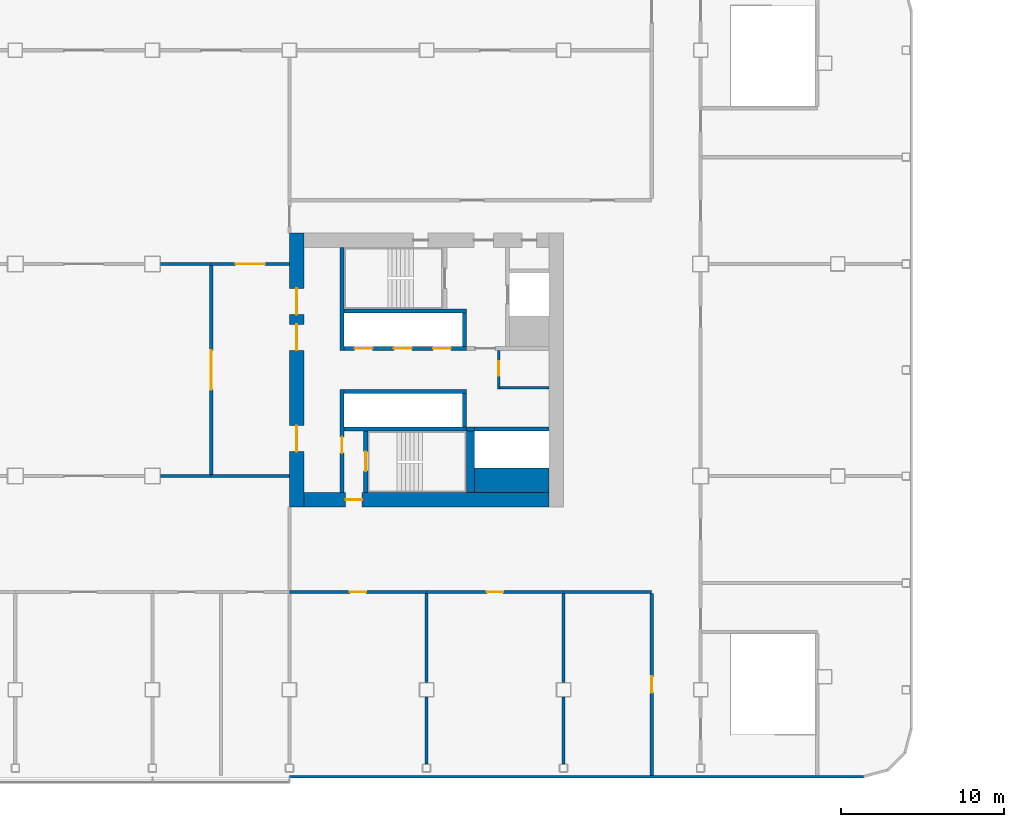
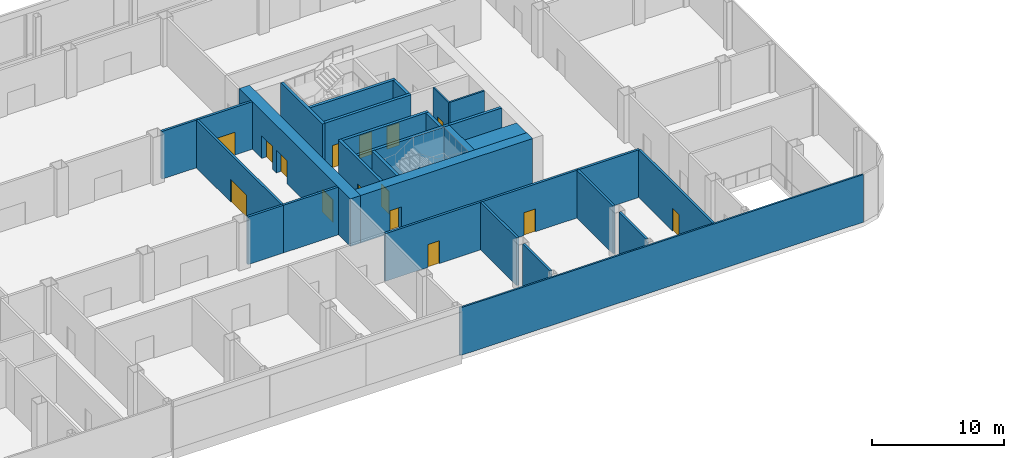
# One storey, part 22 of 53: 31 walls, 15 doors, 15 openings.
"""IFC4 building model written with IfcOpenShell, lengths in metres."""

from ifc_helpers import new_model, si_unit, direction, frame, frame_2d, origin, place, context, subcontext, project, spatial, rectangle, extrude, material, layer, layer_set, type_object, element, fill, save


model = new_model("IFC4")

# Units and contexts
model_context = context("Model", 3, precision=1e-05, world=origin(), true_north=direction((0.0, 1.0)))
body_context = subcontext(model_context, "Body", "Model", "MODEL_VIEW")
ifc_project = project(units=[si_unit("LENGTHUNIT", "METRE"), si_unit("AREAUNIT", "SQUARE_METRE"), si_unit("VOLUMEUNIT", "CUBIC_METRE"), si_unit("PLANEANGLEUNIT", "RADIAN"), si_unit("MASSUNIT", "GRAM", prefix="KILO")], contexts=[model_context])

# Site, building, storey
site_placement = place(None, origin())
site = spatial("IfcSite", under=ifc_project, at=site_placement, CompositionType="ELEMENT")
building_placement = place(site_placement, origin())
building = spatial("IfcBuilding", under=site, at=building_placement, Name="Hakoniwa Tower and Hamabe Station Hall", CompositionType="ELEMENT")
storey_placement = place(building_placement, frame((0.0, 0.0, 15.0)))
storey = spatial("IfcBuildingStorey", under=building, at=storey_placement, Name="L03", CompositionType="ELEMENT", Elevation=15.0)

# Wall, opening, door
ifc_material_1 = material(Name="Gypsum board partition")
ifc_layer_1 = layer(ifc_material_1, 0.14990234375)
ifc_layer_set_1 = layer_set([ifc_layer_1], Name="CORE PARTITION 150 EI 60")
wall_type_1 = type_object("IfcWallType", Name="CORE PARTITION 150 EI 60", PredefinedType="PARTITIONING", material=ifc_layer_set_1)
wall_1_placement = place(storey_placement, frame((29.625, -1.14990234375, 0.0), z_axis=(0.0, 0.0, 1.0), x_axis=(0.0, 1.0, 0.0)))
wall_1 = element("IfcWall", 1, at=wall_1_placement, inside=storey, type_object=wall_type_1, Name="Core partition PW0 east", PredefinedType="PARTITIONING", context=body_context, shape_type="SweptSolid", body=[
    extrude(rectangle(XDim=2.349853515625, YDim=0.14990234375, at=frame_2d((1.1748046875, 0.0))), origin(), (0.0, 0.0, 1.0), 4.39990234375),
])
opening_1_placement = place(wall_1_placement, frame((0.800048828125, 0.0, 0.0)))
opening_1 = element("IfcOpeningElement", 2, at=opening_1_placement, cuts=wall_1, Name="Opening CD-E-RM1-9", PredefinedType="OPENING", context=body_context, shape_type="SweptSolid", body=[
    extrude(rectangle(XDim=0.89990234375, YDim=2.10009765625, at=frame_2d((0.449951171875, 1.050048828125))), frame((0.0, 0.0849609375, 0.0), z_axis=(0.0, -1.0, 0.0), x_axis=(1.0, 0.0, 0.0)), (0.0, 0.0, 1.0), 0.169921875),
])
ifc_material_2 = material(Name="Steel fire door", Category="steel")
door_type_1 = type_object("IfcDoorType", Name="CORE DOOR 900 FD30", OperationType="NOTDEFINED", PredefinedType="DOOR", material=ifc_material_2)
door_1_placement = place(opening_1_placement, origin())
door_1 = element("IfcDoor", 3, at=door_1_placement, inside=storey, type_object=door_type_1, Name="Store room door", OperationType="SINGLE_SWING_RIGHT", OverallHeight=2.10009765625, OverallWidth=0.89990234375, PredefinedType="DOOR", context=body_context, shape_type="SweptSolid", body=[
    extrude(rectangle(XDim=0.89990234375, YDim=2.10009765625, at=frame_2d((0.449951171875, 1.050048828125))), frame((0.0, 0.02490234375, 0.0), z_axis=(0.0, -1.0, 0.0), x_axis=(1.0, 0.0, 0.0)), (0.0, 0.0, 1.0), 0.050048828125),
])
fill(opening_1, door_1)

# Wall
wall_2_placement = place(storey_placement, frame((29.699951171875, -1.074951171875, 0.0), z_axis=(0.0, 0.0, 1.0), x_axis=(1.0, 0.0, 0.0)))
element("IfcWall", 4, at=wall_2_placement, inside=storey, type_object=wall_type_1, Name="Core partition PS east", PredefinedType="PARTITIONING", context=body_context, shape_type="SweptSolid", body=[
    extrude(rectangle(XDim=3.0, YDim=0.14990234375, at=frame_2d((1.5, 0.0))), origin(), (0.0, 0.0, 1.0), 4.39990234375),
])

# Wall, openings, doors
ifc_material_3 = material(Name="Concrete C80", Category="concrete")
ifc_layer_2 = layer(ifc_material_3, 0.89990234375)
ifc_layer_set_2 = layer_set([ifc_layer_2], Name="CORE WALL 900 C80")
wall_type_2 = type_object("IfcWallType", Name="CORE WALL 900 C80", PredefinedType="SHEAR", material=ifc_layer_set_2)
wall_3_placement = place(storey_placement, frame((17.25, -8.39990234375, 0.0), z_axis=(0.0, 0.0, 1.0), x_axis=(0.0, 1.0, 0.0)))
wall_3 = element("IfcWall", 5, at=wall_3_placement, inside=storey, type_object=wall_type_2, Name="Core wall INNER east", PredefinedType="SHEAR", context=body_context, shape_type="SweptSolid", body=[
    extrude(rectangle(XDim=16.7998046875, YDim=0.89990234375, at=frame_2d((8.39990234375, 0.0))), origin(), (0.0, 0.0, 1.0), 4.39990234375),
])
opening_2_placement = place(wall_3_placement, frame((3.39990234375, 0.0, 0.0)))
opening_2 = element("IfcOpeningElement", 6, at=opening_2_placement, cuts=wall_3, Name="Opening CD-E-IN1-16", PredefinedType="OPENING", context=body_context, shape_type="SweptSolid", body=[
    extrude(rectangle(XDim=1.60009765625, YDim=2.10009765625, at=frame_2d((0.800048828125, 1.050048828125))), frame((0.0, 0.4599609375, 0.0), z_axis=(0.0, -1.0, 0.0), x_axis=(1.0, 0.0, 0.0)), (0.0, 0.0, 1.0), 0.919921875),
])
opening_3_placement = place(wall_3_placement, frame((9.60009765625, 0.0, 0.0)))
opening_3 = element("IfcOpeningElement", 7, at=opening_3_placement, cuts=wall_3, Name="Opening CD-E-IN2-16", PredefinedType="OPENING", context=body_context, shape_type="SweptSolid", body=[
    extrude(rectangle(XDim=1.60009765625, YDim=2.10009765625, at=frame_2d((0.800048828125, 1.050048828125))), frame((0.0, 0.4599609375, 0.0), z_axis=(0.0, -1.0, 0.0), x_axis=(1.0, 0.0, 0.0)), (0.0, 0.0, 1.0), 0.919921875),
])
opening_4_placement = place(wall_3_placement, frame((11.800048828125, 0.0, 0.0)))
opening_4 = element("IfcOpeningElement", 8, at=opening_4_placement, cuts=wall_3, Name="Opening CD-E-IN3-16", PredefinedType="OPENING", context=body_context, shape_type="SweptSolid", body=[
    extrude(rectangle(XDim=1.60009765625, YDim=2.10009765625, at=frame_2d((0.800048828125, 1.050048828125))), frame((0.0, 0.4599609375, 0.0), z_axis=(0.0, -1.0, 0.0), x_axis=(1.0, 0.0, 0.0)), (0.0, 0.0, 1.0), 0.919921875),
])
ifc_material_4 = material(Name="Steel fire door", Category="steel")
door_type_2 = type_object("IfcDoorType", Name="CORE DOOR 1600 FD60", OperationType="DOUBLE_DOOR_SINGLE_SWING", PredefinedType="DOOR", material=ifc_material_4)
door_2_placement = place(opening_2_placement, origin())
door_2 = element("IfcDoor", 9, at=door_2_placement, inside=storey, type_object=door_type_2, Name="Lift lobby door", OperationType="DOUBLE_DOOR_SINGLE_SWING", OverallHeight=2.10009765625, OverallWidth=1.60009765625, PredefinedType="DOOR", context=body_context, shape_type="SweptSolid", body=[
    extrude(rectangle(XDim=1.60009765625, YDim=2.10009765625, at=frame_2d((0.800048828125, 1.050048828125))), frame((0.0, 0.02490234375, 0.0), z_axis=(0.0, -1.0, 0.0), x_axis=(1.0, 0.0, 0.0)), (0.0, 0.0, 1.0), 0.050048828125),
])
fill(opening_2, door_2)
door_3_placement = place(opening_3_placement, origin())
door_3 = element("IfcDoor", 10, at=door_3_placement, inside=storey, type_object=door_type_2, Name="Lift lobby door", OperationType="DOUBLE_DOOR_SINGLE_SWING", OverallHeight=2.10009765625, OverallWidth=1.60009765625, PredefinedType="DOOR", context=body_context, shape_type="SweptSolid", body=[
    extrude(rectangle(XDim=1.60009765625, YDim=2.10009765625, at=frame_2d((0.800048828125, 1.050048828125))), frame((0.0, 0.02490234375, 0.0), z_axis=(0.0, -1.0, 0.0), x_axis=(1.0, 0.0, 0.0)), (0.0, 0.0, 1.0), 0.050048828125),
])
fill(opening_3, door_3)
door_4_placement = place(opening_4_placement, origin())
door_4 = element("IfcDoor", 11, at=door_4_placement, inside=storey, type_object=door_type_2, Name="Lift lobby door", OperationType="DOUBLE_DOOR_SINGLE_SWING", OverallHeight=2.10009765625, OverallWidth=1.60009765625, PredefinedType="DOOR", context=body_context, shape_type="SweptSolid", body=[
    extrude(rectangle(XDim=1.60009765625, YDim=2.10009765625, at=frame_2d((0.800048828125, 1.050048828125))), frame((0.0, 0.02490234375, 0.0), z_axis=(0.0, -1.0, 0.0), x_axis=(1.0, 0.0, 0.0)), (0.0, 0.0, 1.0), 0.050048828125),
])
fill(opening_4, door_4)

# Wall, opening, door
wall_4_placement = place(storey_placement, frame((17.699951171875, -7.949951171875, 0.0), z_axis=(0.0, 0.0, 1.0), x_axis=(1.0, 0.0, 0.0)))
wall_4 = element("IfcWall", 12, at=wall_4_placement, inside=storey, type_object=wall_type_2, Name="Core wall SOUTH east", PredefinedType="SHEAR", context=body_context, shape_type="SweptSolid", body=[
    extrude(rectangle(XDim=15.0, YDim=0.89990234375, at=frame_2d((7.5, 0.0))), origin(), (0.0, 0.0, 1.0), 4.39990234375),
])
opening_5_placement = place(wall_4_placement, frame((2.550048828125, 0.0, 0.0)))
opening_5 = element("IfcOpeningElement", 13, at=opening_5_placement, cuts=wall_4, Name="Opening CD-E-FS3-10", PredefinedType="OPENING", context=body_context, shape_type="SweptSolid", body=[
    extrude(rectangle(XDim=1.0, YDim=2.10009765625, at=frame_2d((0.5, 1.050048828125))), frame((0.0, 0.4599609375, 0.0), z_axis=(0.0, -1.0, 0.0), x_axis=(1.0, 0.0, 0.0)), (0.0, 0.0, 1.0), 0.919921875),
])
ifc_material_5 = material(Name="Steel fire door", Category="steel")
door_type_3 = type_object("IfcDoorType", Name="CORE DOOR 1000 FD60", OperationType="NOTDEFINED", PredefinedType="DOOR", material=ifc_material_5)
door_5_placement = place(opening_5_placement, origin())
door_5 = element("IfcDoor", 14, at=door_5_placement, inside=storey, type_object=door_type_3, Name="Stair vestibule door", OperationType="SINGLE_SWING_RIGHT", OverallHeight=2.10009765625, OverallWidth=1.0, PredefinedType="DOOR", context=body_context, shape_type="SweptSolid", body=[
    extrude(rectangle(XDim=1.0, YDim=2.10009765625, at=frame_2d((0.5, 1.050048828125))), frame((0.0, 0.02490234375, 0.0), z_axis=(0.0, -1.0, 0.0), x_axis=(1.0, 0.0, 0.0)), (0.0, 0.0, 1.0), 0.050048828125),
])
fill(opening_5, door_5)

# Walls
ifc_material_6 = material(Name="Concrete C80", Category="concrete")
ifc_layer_3 = layer(ifc_material_6, 1.5)
ifc_layer_set_3 = layer_set([ifc_layer_3], Name="CORE WEB WALL 1500 C80")
wall_type_3 = type_object("IfcWallType", Name="CORE WEB WALL 1500 C80", PredefinedType="SHEAR", material=ifc_layer_set_3)
wall_5_placement = place(storey_placement, frame((28.14990234375, -6.75, 0.0), z_axis=(0.0, 0.0, 1.0), x_axis=(1.0, 0.0, 0.0)))
element("IfcWall", 15, at=wall_5_placement, inside=storey, type_object=wall_type_3, Name="Core wall SER east", PredefinedType="SHEAR", context=body_context, shape_type="SweptSolid", body=[
    extrude(rectangle(XDim=4.550048828125, YDim=1.5, at=frame_2d((2.27490234375, 0.0))), origin(), (0.0, 0.0, 1.0), 4.39990234375),
])
ifc_material_7 = material(Name="Concrete C80", Category="concrete")
ifc_layer_4 = layer(ifc_material_7, 0.25)
ifc_layer_set_4 = layer_set([ifc_layer_4], Name="CORE WEB WALL 250 C80")
wall_type_4 = type_object("IfcWallType", Name="CORE WEB WALL 250 C80", PredefinedType="SHEAR", material=ifc_layer_set_4)
wall_6_placement = place(storey_placement, frame((20.02490234375, 1.199951171875, 0.0), z_axis=(0.0, 0.0, 1.0), x_axis=(0.0, 1.0, 0.0)))
element("IfcWall", 16, at=wall_6_placement, inside=storey, type_object=wall_type_4, Name="Core wall W1N east", PredefinedType="SHEAR", context=body_context, shape_type="SweptSolid", body=[
    extrude(rectangle(XDim=6.300048828125, YDim=0.25, at=frame_2d((3.14990234375, 0.0))), origin(), (0.0, 0.0, 1.0), 4.39990234375),
])

# Wall, opening, door
wall_7_placement = place(storey_placement, frame((20.02490234375, -7.5, 0.0), z_axis=(0.0, 0.0, 1.0), x_axis=(0.0, 1.0, 0.0)))
wall_7 = element("IfcWall", 17, at=wall_7_placement, inside=storey, type_object=wall_type_4, Name="Core wall W1S east", PredefinedType="SHEAR", context=body_context, shape_type="SweptSolid", body=[
    extrude(rectangle(XDim=6.300048828125, YDim=0.25, at=frame_2d((3.14990234375, 0.0))), origin(), (0.0, 0.0, 1.0), 4.39990234375),
])
opening_6_placement = place(wall_7_placement, frame((2.39990234375, 0.0, 0.0)))
opening_6 = element("IfcOpeningElement", 18, at=opening_6_placement, cuts=wall_7, Name="Opening CD-E-VS-10", PredefinedType="OPENING", context=body_context, shape_type="SweptSolid", body=[
    extrude(rectangle(XDim=1.0, YDim=2.10009765625, at=frame_2d((0.5, 1.050048828125))), frame((0.0, 0.135009765625, 0.0), z_axis=(0.0, -1.0, 0.0), x_axis=(1.0, 0.0, 0.0)), (0.0, 0.0, 1.0), 0.27001953125),
])
door_6_placement = place(opening_6_placement, origin())
door_6 = element("IfcDoor", 19, at=door_6_placement, inside=storey, type_object=door_type_3, Name="Stair vestibule door", OperationType="SINGLE_SWING_RIGHT", OverallHeight=2.10009765625, OverallWidth=1.0, PredefinedType="DOOR", context=body_context, shape_type="SweptSolid", body=[
    extrude(rectangle(XDim=1.0, YDim=2.10009765625, at=frame_2d((0.5, 1.050048828125))), frame((0.0, 0.02490234375, 0.0), z_axis=(0.0, -1.0, 0.0), x_axis=(1.0, 0.0, 0.0)), (0.0, 0.0, 1.0), 0.050048828125),
])
fill(opening_6, door_6)

# Wall, openings, doors
wall_8_placement = place(storey_placement, frame((20.14990234375, 1.324951171875, 0.0), z_axis=(0.0, 0.0, 1.0), x_axis=(1.0, 0.0, 0.0)))
wall_8 = element("IfcWall", 20, at=wall_8_placement, inside=storey, type_object=wall_type_4, Name="Core wall NF east", PredefinedType="SHEAR", context=body_context, shape_type="SweptSolid", body=[
    extrude(rectangle(XDim=7.5, YDim=0.25, at=frame_2d((3.75, 0.0))), origin(), (0.0, 0.0, 1.0), 4.39990234375),
])
opening_7_placement = place(wall_8_placement, frame((0.64990234375, 0.0, 0.0)))
opening_7 = element("IfcOpeningElement", 21, at=opening_7_placement, cuts=wall_8, Name="Opening LD-LR4", PredefinedType="OPENING", context=body_context, shape_type="SweptSolid", body=[
    extrude(rectangle(XDim=1.10009765625, YDim=2.10009765625, at=frame_2d((0.550048828125, 1.050048828125))), frame((0.0, 0.135009765625, 0.0), z_axis=(0.0, -1.0, 0.0), x_axis=(1.0, 0.0, 0.0)), (0.0, 0.0, 1.0), 0.27001953125),
])
opening_8_placement = place(wall_8_placement, frame((3.050048828125, 0.0, 0.0)))
opening_8 = element("IfcOpeningElement", 22, at=opening_8_placement, cuts=wall_8, Name="Opening LD-LR5", PredefinedType="OPENING", context=body_context, shape_type="SweptSolid", body=[
    extrude(rectangle(XDim=1.10009765625, YDim=2.10009765625, at=frame_2d((0.550048828125, 1.050048828125))), frame((0.0, 0.135009765625, 0.0), z_axis=(0.0, -1.0, 0.0), x_axis=(1.0, 0.0, 0.0)), (0.0, 0.0, 1.0), 0.27001953125),
])
opening_9_placement = place(wall_8_placement, frame((5.449951171875, 0.0, 0.0)))
opening_9 = element("IfcOpeningElement", 23, at=opening_9_placement, cuts=wall_8, Name="Opening LD-LR6", PredefinedType="OPENING", context=body_context, shape_type="SweptSolid", body=[
    extrude(rectangle(XDim=1.10009765625, YDim=2.10009765625, at=frame_2d((0.550048828125, 1.050048828125))), frame((0.0, 0.135009765625, 0.0), z_axis=(0.0, -1.0, 0.0), x_axis=(1.0, 0.0, 0.0)), (0.0, 0.0, 1.0), 0.27001953125),
])
ifc_material_8 = material(Name="Stainless steel SUS304", Category="steel")
door_type_4 = type_object("IfcDoorType", Name="LIFT LANDING DOOR 1100 FD60", OperationType="DOUBLE_DOOR_SLIDING", PredefinedType="DOOR", material=ifc_material_8)
door_7_placement = place(opening_7_placement, origin())
door_7 = element("IfcDoor", 24, at=door_7_placement, inside=storey, type_object=door_type_4, Name="Lift landing door LR4 L03", OperationType="DOUBLE_DOOR_SLIDING", OverallHeight=2.10009765625, OverallWidth=1.10009765625, PredefinedType="DOOR", context=body_context, shape_type="SweptSolid", body=[
    extrude(rectangle(XDim=1.10009765625, YDim=2.10009765625, at=frame_2d((0.550048828125, 1.050048828125))), frame((0.0, 0.02490234375, 0.0), z_axis=(0.0, -1.0, 0.0), x_axis=(1.0, 0.0, 0.0)), (0.0, 0.0, 1.0), 0.050048828125),
])
fill(opening_7, door_7)
door_8_placement = place(opening_8_placement, origin())
door_8 = element("IfcDoor", 25, at=door_8_placement, inside=storey, type_object=door_type_4, Name="Lift landing door LR5 L03", OperationType="DOUBLE_DOOR_SLIDING", OverallHeight=2.10009765625, OverallWidth=1.10009765625, PredefinedType="DOOR", context=body_context, shape_type="SweptSolid", body=[
    extrude(rectangle(XDim=1.10009765625, YDim=2.10009765625, at=frame_2d((0.550048828125, 1.050048828125))), frame((0.0, 0.02490234375, 0.0), z_axis=(0.0, -1.0, 0.0), x_axis=(1.0, 0.0, 0.0)), (0.0, 0.0, 1.0), 0.050048828125),
])
fill(opening_8, door_8)
door_9_placement = place(opening_9_placement, origin())
door_9 = element("IfcDoor", 26, at=door_9_placement, inside=storey, type_object=door_type_4, Name="Lift landing door LR6 L03", OperationType="DOUBLE_DOOR_SLIDING", OverallHeight=2.10009765625, OverallWidth=1.10009765625, PredefinedType="DOOR", context=body_context, shape_type="SweptSolid", body=[
    extrude(rectangle(XDim=1.10009765625, YDim=2.10009765625, at=frame_2d((0.550048828125, 1.050048828125))), frame((0.0, 0.02490234375, 0.0), z_axis=(0.0, -1.0, 0.0), x_axis=(1.0, 0.0, 0.0)), (0.0, 0.0, 1.0), 0.050048828125),
])
fill(opening_9, door_9)

# Walls
wall_9_placement = place(storey_placement, frame((27.52490234375, 1.449951171875, 0.0), z_axis=(0.0, 0.0, 1.0), x_axis=(0.0, 1.0, 0.0)))
element("IfcWall", 27, at=wall_9_placement, inside=storey, type_object=wall_type_4, Name="Core wall NE east", PredefinedType="SHEAR", context=body_context, shape_type="SweptSolid", body=[
    extrude(rectangle(XDim=2.050048828125, YDim=0.25, at=frame_2d((1.02490234375, 0.0))), origin(), (0.0, 0.0, 1.0), 4.39990234375),
])
for number, where, z_axis, x_axis, name in (
    (28, (20.14990234375, 3.625, 0.0), (0.0, 0.0, 1.0), (1.0, 0.0, 0.0), "Core wall NR east"),
    (29, (20.14990234375, -1.324951171875, 0.0), (0.0, 0.0, 1.0), (1.0, 0.0, 0.0), "Core wall SF east"),
):
    element("IfcWall", number, at=place(storey_placement, frame(where, z_axis=z_axis, x_axis=x_axis)), inside=storey, type_object=wall_type_4, Name=name, PredefinedType="SHEAR", context=body_context, shape_type="SweptSolid", body=[
        extrude(rectangle(XDim=7.5, YDim=0.25, at=frame_2d((3.75, 0.0))), origin(), (0.0, 0.0, 1.0), 4.39990234375),
    ])
wall_10_placement = place(storey_placement, frame((27.52490234375, -3.5, 0.0), z_axis=(0.0, 0.0, 1.0), x_axis=(0.0, 1.0, 0.0)))
element("IfcWall", 30, at=wall_10_placement, inside=storey, type_object=wall_type_4, Name="Core wall SE east", PredefinedType="SHEAR", context=body_context, shape_type="SweptSolid", body=[
    extrude(rectangle(XDim=2.050048828125, YDim=0.25, at=frame_2d((1.02490234375, 0.0))), origin(), (0.0, 0.0, 1.0), 4.39990234375),
])
wall_11_placement = place(storey_placement, frame((20.14990234375, -3.625, 0.0), z_axis=(0.0, 0.0, 1.0), x_axis=(1.0, 0.0, 0.0)))
element("IfcWall", 31, at=wall_11_placement, inside=storey, type_object=wall_type_4, Name="Core wall SR east", PredefinedType="SHEAR", context=body_context, shape_type="SweptSolid", body=[
    extrude(rectangle(XDim=7.5, YDim=0.25, at=frame_2d((3.75, 0.0))), origin(), (0.0, 0.0, 1.0), 4.39990234375),
])

# Wall, opening, door
wall_12_placement = place(storey_placement, frame((21.47509765625, -7.5, 0.0), z_axis=(0.0, 0.0, 1.0), x_axis=(0.0, 1.0, 0.0)))
wall_12 = element("IfcWall", 32, at=wall_12_placement, inside=storey, type_object=wall_type_4, Name="Core wall VE east", PredefinedType="SHEAR", context=body_context, shape_type="SweptSolid", body=[
    extrude(rectangle(XDim=3.75, YDim=0.25, at=frame_2d((1.875, 0.0))), origin(), (0.0, 0.0, 1.0), 4.39990234375),
])
opening_10_placement = place(wall_12_placement, frame((1.300048828125, 0.0, 0.0)))
opening_10 = element("IfcOpeningElement", 33, at=opening_10_placement, cuts=wall_12, Name="Opening CD-E-SS-12", PredefinedType="OPENING", context=body_context, shape_type="SweptSolid", body=[
    extrude(rectangle(XDim=1.199951171875, YDim=2.10009765625, at=frame_2d((0.60009765625, 1.050048828125))), frame((0.0, 0.135009765625, 0.0), z_axis=(0.0, -1.0, 0.0), x_axis=(1.0, 0.0, 0.0)), (0.0, 0.0, 1.0), 0.27001953125),
])
ifc_material_9 = material(Name="Steel fire door", Category="steel")
door_type_5 = type_object("IfcDoorType", Name="CORE DOOR 1200 FD60", OperationType="DOUBLE_DOOR_SINGLE_SWING", PredefinedType="DOOR", material=ifc_material_9)
door_10_placement = place(opening_10_placement, origin())
door_10 = element("IfcDoor", 34, at=door_10_placement, inside=storey, type_object=door_type_5, Name="Escape stair door", OperationType="DOUBLE_DOOR_SINGLE_SWING", OverallHeight=2.10009765625, OverallWidth=1.199951171875, PredefinedType="DOOR", context=body_context, shape_type="SweptSolid", body=[
    extrude(rectangle(XDim=1.199951171875, YDim=2.10009765625, at=frame_2d((0.60009765625, 1.050048828125))), frame((0.0, 0.02490234375, 0.0), z_axis=(0.0, -1.0, 0.0), x_axis=(1.0, 0.0, 0.0)), (0.0, 0.0, 1.0), 0.050048828125),
])
fill(opening_10, door_10)

# Walls
wall_13_placement = place(storey_placement, frame((28.14990234375, -3.625, 0.0), z_axis=(0.0, 0.0, 1.0), x_axis=(1.0, 0.0, 0.0)))
element("IfcWall", 35, at=wall_13_placement, inside=storey, type_object=wall_type_4, Name="Core wall SEF east", PredefinedType="SHEAR", context=body_context, shape_type="SweptSolid", body=[
    extrude(rectangle(XDim=4.550048828125, YDim=0.25, at=frame_2d((2.27490234375, 0.0))), origin(), (0.0, 0.0, 1.0), 4.39990234375),
])
wall_14_placement = place(storey_placement, frame((27.64990234375, -3.625, 0.0), z_axis=(0.0, 0.0, 1.0), x_axis=(1.0, 0.0, 0.0)))
element("IfcWall", 36, at=wall_14_placement, inside=storey, type_object=wall_type_4, Name="Core wall SRK east", PredefinedType="SHEAR", context=body_context, shape_type="SweptSolid", body=[
    extrude(rectangle(XDim=0.5, YDim=0.25, at=frame_2d((0.25, 0.0))), origin(), (0.0, 0.0, 1.0), 4.39990234375),
])
ifc_material_10 = material(Name="Concrete C80", Category="concrete")
ifc_layer_5 = layer(ifc_material_10, 0.5)
ifc_layer_set_5 = layer_set([ifc_layer_5], Name="CORE WEB WALL 500 C80")
wall_type_5 = type_object("IfcWallType", Name="CORE WEB WALL 500 C80", PredefinedType="SHEAR", material=ifc_layer_set_5)
wall_15_placement = place(storey_placement, frame((27.89990234375, -7.5, 0.0), z_axis=(0.0, 0.0, 1.0), x_axis=(0.0, 1.0, 0.0)))
element("IfcWall", 37, at=wall_15_placement, inside=storey, type_object=wall_type_5, Name="Core wall SSE east", PredefinedType="SHEAR", context=body_context, shape_type="SweptSolid", body=[
    extrude(rectangle(XDim=3.75, YDim=0.5, at=frame_2d((1.875, 0.0))), origin(), (0.0, 0.0, 1.0), 4.39990234375),
])
ifc_material_11 = material(Name="Dark glass-faced aluminium panel", Category="aluminium")
ifc_layer_6 = layer(ifc_material_11, 0.14990234375)
ifc_layer_set_6 = layer_set([ifc_layer_6], Name="EXTERNAL WALL 150 EI 60")
wall_type_6 = type_object("IfcWallType", Name="EXTERNAL WALL 150 EI 60", PredefinedType="STANDARD", material=ifc_layer_set_6)
wall_16_placement = place(storey_placement, frame((51.980224609375, -24.925048828125, 0.0), z_axis=(0.0, 0.0, 1.0), x_axis=(-1.0, 0.0, 0.0)))
element("IfcWall", 38, at=wall_16_placement, inside=storey, type_object=wall_type_6, Name="External wall L03 4-1", PredefinedType="STANDARD", context=body_context, shape_type="SweptSolid", body=[
    extrude(rectangle(XDim=35.18017578125, YDim=0.14990234375, at=frame_2d((17.590087890625, 0.0))), origin(), (0.0, 0.0, 1.0), 4.39990234375),
])

# Wall, opening, door
ifc_material_12 = material(Name="Fire-rated gypsum board partition")
ifc_layer_7 = layer(ifc_material_12, 0.199951171875)
ifc_layer_set_7 = layer_set([ifc_layer_7], Name="FIRE PARTITION 200 EI 60")
wall_type_7 = type_object("IfcWallType", Name="FIRE PARTITION 200 EI 60", PredefinedType="PARTITIONING", material=ifc_layer_set_7)
wall_17_placement = place(storey_placement, frame((16.800048828125, 6.5, 0.0), z_axis=(0.0, 0.0, 1.0), x_axis=(-1.0, 0.0, 0.0)))
wall_17 = element("IfcWall", 39, at=wall_17_placement, inside=storey, type_object=wall_type_7, Name="Wall Grand Ballroom / Guest Lift Hall East", PredefinedType="PARTITIONING", context=body_context, shape_type="SweptSolid", body=[
    extrude(rectangle(XDim=4.800048828125, YDim=0.199951171875, at=frame_2d((2.39990234375, 0.0))), origin(), (0.0, 0.0, 1.0), 4.39990234375),
])
opening_11_placement = place(wall_17_placement, frame((1.5, 0.0, 0.0)))
opening_11 = element("IfcOpeningElement", 40, at=opening_11_placement, cuts=wall_17, Name="Opening PD-L03-010", PredefinedType="OPENING", context=body_context, shape_type="SweptSolid", body=[
    extrude(rectangle(XDim=1.800048828125, YDim=2.10009765625, at=frame_2d((0.89990234375, 1.050048828125))), frame((0.0, 0.10986328125, 0.0), z_axis=(0.0, -1.0, 0.0), x_axis=(1.0, 0.0, 0.0)), (0.0, 0.0, 1.0), 0.219970703125),
])
ifc_material_13 = material(Name="Glazed aluminium door", Category="aluminium")
door_type_6 = type_object("IfcDoorType", Name="DOUBLE GLAZED DOOR 1800X2100", OperationType="DOUBLE_DOOR_DOUBLE_SWING", PredefinedType="DOOR", material=ifc_material_13)
door_11_placement = place(opening_11_placement, origin())
door_11 = element("IfcDoor", 41, at=door_11_placement, inside=storey, type_object=door_type_6, Name="Door PD-L03-010", OperationType="DOUBLE_DOOR_DOUBLE_SWING", OverallHeight=2.10009765625, OverallWidth=1.800048828125, PredefinedType="DOOR", context=body_context, shape_type="SweptSolid", body=[
    extrude(rectangle(XDim=1.800048828125, YDim=2.10009765625, at=frame_2d((0.89990234375, 1.050048828125))), frame((0.0, 0.02490234375, 0.0), z_axis=(0.0, -1.0, 0.0), x_axis=(1.0, 0.0, 0.0)), (0.0, 0.0, 1.0), 0.050048828125),
])
fill(opening_11, door_11)

# Wall
wall_18_placement = place(storey_placement, frame((12.0, 6.5, 0.0), z_axis=(0.0, 0.0, 1.0), x_axis=(-1.0, 0.0, 0.0)))
element("IfcWall", 42, at=wall_18_placement, inside=storey, type_object=wall_type_7, Name="Wall Grand Ballroom / Guest Library", PredefinedType="PARTITIONING", context=body_context, shape_type="SweptSolid", body=[
    extrude(rectangle(XDim=3.10009765625, YDim=0.199951171875, at=frame_2d((1.550048828125, 0.0))), origin(), (0.0, 0.0, 1.0), 4.39990234375),
])

# Wall, opening, door
wall_19_placement = place(storey_placement, frame((25.199951171875, -13.60009765625, 0.0), z_axis=(0.0, 0.0, 1.0), x_axis=(-1.0, 0.0, 0.0)))
wall_19 = element("IfcWall", 43, at=wall_19_placement, inside=storey, type_object=wall_type_7, Name="Wall East Gallery / Meeting Room 1", PredefinedType="PARTITIONING", context=body_context, shape_type="SweptSolid", body=[
    extrude(rectangle(XDim=8.39990234375, YDim=0.199951171875, at=frame_2d((4.199951171875, 0.0))), origin(), (0.0, 0.0, 1.0), 4.39990234375),
])
opening_12_placement = place(wall_19_placement, frame((3.699951171875, 0.0, 0.0)))
opening_12 = element("IfcOpeningElement", 44, at=opening_12_placement, cuts=wall_19, Name="Opening PD-L03-043", PredefinedType="OPENING", context=body_context, shape_type="SweptSolid", body=[
    extrude(rectangle(XDim=1.0, YDim=2.10009765625, at=frame_2d((0.5, 1.050048828125))), frame((0.0, 0.10986328125, 0.0), z_axis=(0.0, -1.0, 0.0), x_axis=(1.0, 0.0, 0.0)), (0.0, 0.0, 1.0), 0.219970703125),
])
ifc_material_14 = material(Name="Steel fire door", Category="steel")
door_type_7 = type_object("IfcDoorType", Name="FIRE DOOR 1000X2100 FD60", OperationType="SINGLE_SWING_LEFT", PredefinedType="DOOR", material=ifc_material_14)
door_12_placement = place(opening_12_placement, origin())
door_12 = element("IfcDoor", 45, at=door_12_placement, inside=storey, type_object=door_type_7, Name="Door PD-L03-043", OperationType="SINGLE_SWING_RIGHT", OverallHeight=2.10009765625, OverallWidth=1.0, PredefinedType="DOOR", context=body_context, shape_type="SweptSolid", body=[
    extrude(rectangle(XDim=1.0, YDim=2.10009765625, at=frame_2d((0.5, 1.050048828125))), frame((0.0, 0.02490234375, 0.0), z_axis=(0.0, -1.0, 0.0), x_axis=(1.0, 0.0, 0.0)), (0.0, 0.0, 1.0), 0.050048828125),
])
fill(opening_12, door_12)

wall_20_placement = place(storey_placement, frame((33.60009765625, -13.60009765625, 0.0), z_axis=(0.0, 0.0, 1.0), x_axis=(-1.0, 0.0, 0.0)))
wall_20 = element("IfcWall", 46, at=wall_20_placement, inside=storey, type_object=wall_type_7, Name="Wall East Gallery / Meeting Room 2", PredefinedType="PARTITIONING", context=body_context, shape_type="SweptSolid", body=[
    extrude(rectangle(XDim=8.400146484375, YDim=0.199951171875, at=frame_2d((4.2001953125, 0.0))), origin(), (0.0, 0.0, 1.0), 4.39990234375),
])
opening_13_placement = place(wall_20_placement, frame((3.699951171875, 0.0, 0.0)))
opening_13 = element("IfcOpeningElement", 47, at=opening_13_placement, cuts=wall_20, Name="Opening PD-L03-044", PredefinedType="OPENING", context=body_context, shape_type="SweptSolid", body=[
    extrude(rectangle(XDim=1.0, YDim=2.10009765625, at=frame_2d((0.5, 1.050048828125))), frame((0.0, 0.10986328125, 0.0), z_axis=(0.0, -1.0, 0.0), x_axis=(1.0, 0.0, 0.0)), (0.0, 0.0, 1.0), 0.219970703125),
])
door_13_placement = place(opening_13_placement, origin())
door_13 = element("IfcDoor", 48, at=door_13_placement, inside=storey, type_object=door_type_7, Name="Door PD-L03-044", OperationType="SINGLE_SWING_LEFT", OverallHeight=2.10009765625, OverallWidth=1.0, PredefinedType="DOOR", context=body_context, shape_type="SweptSolid", body=[
    extrude(rectangle(XDim=1.0, YDim=2.10009765625, at=frame_2d((0.5, 1.050048828125))), frame((0.0, 0.02490234375, 0.0), z_axis=(0.0, -1.0, 0.0), x_axis=(1.0, 0.0, 0.0)), (0.0, 0.0, 1.0), 0.050048828125),
])
fill(opening_13, door_13)

wall_21_placement = place(storey_placement, frame((39.0, -24.85009765625, 0.0), z_axis=(0.0, 0.0, 1.0), x_axis=(0.0, 1.0, 0.0)))
wall_21 = element("IfcWall", 49, at=wall_21_placement, inside=storey, type_object=wall_type_7, Name="Wall East Gallery / Meeting Room 3", PredefinedType="PARTITIONING", context=body_context, shape_type="SweptSolid", body=[
    extrude(rectangle(XDim=11.150146484375, YDim=0.199951171875, at=frame_2d((5.5751953125, 0.0))), origin(), (0.0, 0.0, 1.0), 4.39990234375),
])
opening_14_placement = place(wall_21_placement, frame((5.074951171875, 0.0, 0.0)))
opening_14 = element("IfcOpeningElement", 50, at=opening_14_placement, cuts=wall_21, Name="Opening PD-L03-045", PredefinedType="OPENING", context=body_context, shape_type="SweptSolid", body=[
    extrude(rectangle(XDim=1.0, YDim=2.10009765625, at=frame_2d((0.5, 1.050048828125))), frame((0.0, 0.10986328125, 0.0), z_axis=(0.0, -1.0, 0.0), x_axis=(1.0, 0.0, 0.0)), (0.0, 0.0, 1.0), 0.219970703125),
])
door_14_placement = place(opening_14_placement, origin())
door_14 = element("IfcDoor", 51, at=door_14_placement, inside=storey, type_object=door_type_7, Name="Door PD-L03-045", OperationType="SINGLE_SWING_RIGHT", OverallHeight=2.10009765625, OverallWidth=1.0, PredefinedType="DOOR", context=body_context, shape_type="SweptSolid", body=[
    extrude(rectangle(XDim=1.0, YDim=2.10009765625, at=frame_2d((0.5, 1.050048828125))), frame((0.0, 0.02490234375, 0.0), z_axis=(0.0, -1.0, 0.0), x_axis=(1.0, 0.0, 0.0)), (0.0, 0.0, 1.0), 0.050048828125),
])
fill(opening_14, door_14)

# Wall
wall_22_placement = place(storey_placement, frame((39.0, -13.60009765625, 0.0), z_axis=(0.0, 0.0, 1.0), x_axis=(-1.0, 0.0, 0.0)))
element("IfcWall", 52, at=wall_22_placement, inside=storey, type_object=wall_type_7, Name="Wall East Gallery / Meeting Room 3", PredefinedType="PARTITIONING", context=body_context, shape_type="SweptSolid", body=[
    extrude(rectangle(XDim=5.39990234375, YDim=0.199951171875, at=frame_2d((2.699951171875, 0.0))), origin(), (0.0, 0.0, 1.0), 4.39990234375),
])

# Wall, opening, door
wall_23_placement = place(storey_placement, frame((12.0, -6.39990234375, 0.0), z_axis=(0.0, 0.0, 1.0), x_axis=(0.0, 1.0, 0.0)))
wall_23 = element("IfcWall", 53, at=wall_23_placement, inside=storey, type_object=wall_type_7, Name="Wall Guest Lift Hall East / Guest Library", PredefinedType="PARTITIONING", context=body_context, shape_type="SweptSolid", body=[
    extrude(rectangle(XDim=12.7998046875, YDim=0.199951171875, at=frame_2d((6.39990234375, 0.0))), origin(), (0.0, 0.0, 1.0), 4.39990234375),
])
opening_15_placement = place(wall_23_placement, frame((5.199951171875, 0.0, 0.0)))
opening_15 = element("IfcOpeningElement", 54, at=opening_15_placement, cuts=wall_23, Name="Opening PD-L03-004", PredefinedType="OPENING", context=body_context, shape_type="SweptSolid", body=[
    extrude(rectangle(XDim=2.39990234375, YDim=2.10009765625, at=frame_2d((1.199951171875, 1.050048828125))), frame((0.0, 0.10986328125, 0.0), z_axis=(0.0, -1.0, 0.0), x_axis=(1.0, 0.0, 0.0)), (0.0, 0.0, 1.0), 0.219970703125),
])
ifc_material_15 = material(Name="Glazed aluminium door", Category="aluminium")
door_type_8 = type_object("IfcDoorType", Name="DOUBLE GLAZED DOOR 2400X2100", OperationType="DOUBLE_DOOR_DOUBLE_SWING", PredefinedType="DOOR", material=ifc_material_15)
door_15_placement = place(opening_15_placement, origin())
door_15 = element("IfcDoor", 55, at=door_15_placement, inside=storey, type_object=door_type_8, Name="Door PD-L03-004", OperationType="DOUBLE_DOOR_DOUBLE_SWING", OverallHeight=2.10009765625, OverallWidth=2.39990234375, PredefinedType="DOOR", context=body_context, shape_type="SweptSolid", body=[
    extrude(rectangle(XDim=2.39990234375, YDim=2.10009765625, at=frame_2d((1.199951171875, 1.050048828125))), frame((0.0, 0.02490234375, 0.0), z_axis=(0.0, -1.0, 0.0), x_axis=(1.0, 0.0, 0.0)), (0.0, 0.0, 1.0), 0.050048828125),
])
fill(opening_15, door_15)

# Walls
wall_24_placement = place(storey_placement, frame((16.800048828125, -6.5, 0.0), z_axis=(0.0, 0.0, 1.0), x_axis=(-1.0, 0.0, 0.0)))
element("IfcWall", 56, at=wall_24_placement, inside=storey, type_object=wall_type_7, Name="Wall Guest Lift Hall East / Spa Reception", PredefinedType="PARTITIONING", context=body_context, shape_type="SweptSolid", body=[
    extrude(rectangle(XDim=4.800048828125, YDim=0.199951171875, at=frame_2d((2.39990234375, 0.0))), origin(), (0.0, 0.0, 1.0), 4.39990234375),
])
wall_25_placement = place(storey_placement, frame((12.0, -6.5, 0.0), z_axis=(0.0, 0.0, 1.0), x_axis=(-1.0, 0.0, 0.0)))
element("IfcWall", 57, at=wall_25_placement, inside=storey, type_object=wall_type_7, Name="Wall Guest Library / Spa Reception", PredefinedType="PARTITIONING", context=body_context, shape_type="SweptSolid", body=[
    extrude(rectangle(XDim=3.10009765625, YDim=0.199951171875, at=frame_2d((1.550048828125, 0.0))), origin(), (0.0, 0.0, 1.0), 4.39990234375),
])
wall_26_placement = place(storey_placement, frame((25.199951171875, -13.699951171875, 0.0), z_axis=(0.0, 0.0, 1.0), x_axis=(0.0, -1.0, 0.0)))
element("IfcWall", 58, at=wall_26_placement, inside=storey, type_object=wall_type_7, Name="Wall Meeting Room 1 / Meeting Room 2", PredefinedType="PARTITIONING", context=body_context, shape_type="SweptSolid", body=[
    extrude(rectangle(XDim=5.449951171875, YDim=0.199951171875, at=frame_2d((2.72509765625, 0.0))), origin(), (0.0, 0.0, 1.0), 4.39990234375),
])
wall_27_placement = place(storey_placement, frame((25.199951171875, -20.050048828125, 0.0), z_axis=(0.0, 0.0, 1.0), x_axis=(0.0, -1.0, 0.0)))
element("IfcWall", 59, at=wall_27_placement, inside=storey, type_object=wall_type_7, Name="Wall Meeting Room 1 / Meeting Room 2", PredefinedType="PARTITIONING", context=body_context, shape_type="SweptSolid", body=[
    extrude(rectangle(XDim=4.099853515625, YDim=0.199951171875, at=frame_2d((2.0498046875, 0.0))), origin(), (0.0, 0.0, 1.0), 4.39990234375),
])
wall_28_placement = place(storey_placement, frame((33.60009765625, -13.699951171875, 0.0), z_axis=(0.0, 0.0, 1.0), x_axis=(0.0, -1.0, 0.0)))
element("IfcWall", 60, at=wall_28_placement, inside=storey, type_object=wall_type_7, Name="Wall Meeting Room 2 / Meeting Room 3", PredefinedType="PARTITIONING", context=body_context, shape_type="SweptSolid", body=[
    extrude(rectangle(XDim=5.449951171875, YDim=0.199951171875, at=frame_2d((2.72509765625, 0.0))), origin(), (0.0, 0.0, 1.0), 4.39990234375),
])
wall_29_placement = place(storey_placement, frame((33.60009765625, -20.050048828125, 0.0), z_axis=(0.0, 0.0, 1.0), x_axis=(0.0, -1.0, 0.0)))
element("IfcWall", 61, at=wall_29_placement, inside=storey, type_object=wall_type_7, Name="Wall Meeting Room 2 / Meeting Room 3", PredefinedType="PARTITIONING", context=body_context, shape_type="SweptSolid", body=[
    extrude(rectangle(XDim=4.099853515625, YDim=0.199951171875, at=frame_2d((2.0498046875, 0.0))), origin(), (0.0, 0.0, 1.0), 4.39990234375),
])

save(model, "model.ifc")
